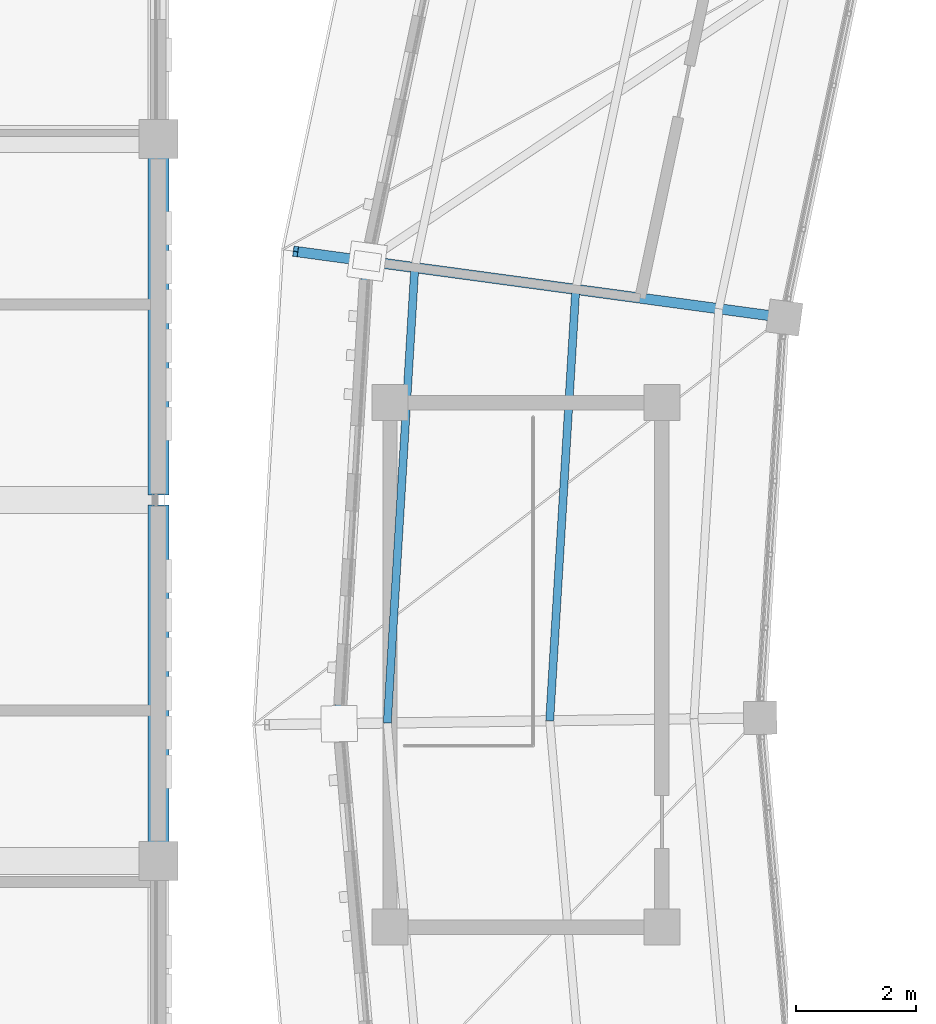
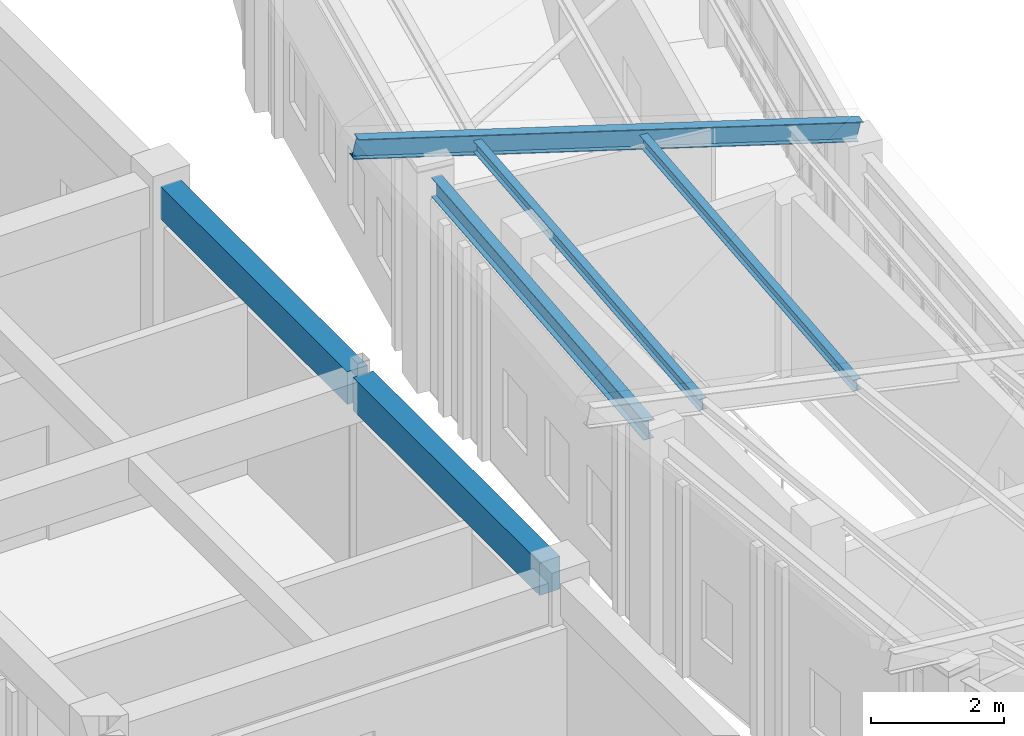
# One storey, part 30 of 149: 3 beams, 3 members.
"""IFC4 building model written with IfcOpenShell, lengths in metres."""

from ifc_helpers import new_model, si_unit, direction, frame, origin, origin_2d, place, context, subcontext, project, spatial, rectangle, i_section, extrude, material, material_profile, profile_set, type_object, element, save


model = new_model("IFC4")

# Units and contexts
model_context = context("Model", 3, precision=1e-05, world=origin(), true_north=direction((0.0, 1.0)))
body_context = subcontext(model_context, "Body", "Model", "MODEL_VIEW")
ifc_project = project(units=[si_unit("LENGTHUNIT", "METRE"), si_unit("AREAUNIT", "SQUARE_METRE"), si_unit("VOLUMEUNIT", "CUBIC_METRE"), si_unit("PLANEANGLEUNIT", "RADIAN"), si_unit("MASSUNIT", "GRAM", prefix="KILO")], contexts=[model_context])

# Site, building, storey
site_placement = place(None, origin())
site = spatial("IfcSite", under=ifc_project, at=site_placement, CompositionType="ELEMENT")
building_placement = place(site_placement, origin())
building = spatial("IfcBuilding", under=site, at=building_placement, Name="Celadon Cloister-Ring School", CompositionType="ELEMENT")
storey_placement = place(building_placement, frame((0.0, 0.0, 12.5)))
storey = spatial("IfcBuildingStorey", under=building, at=storey_placement, Name="L03", CompositionType="ELEMENT", Elevation=12.5)

# Beams
ifc_material_1 = material(Name="Concrete C35/45", Category="concrete")
ifc_material_profile_1 = material_profile(ifc_material_1, rectangle(XDim=0.35009765625, YDim=0.60009765625, at=origin_2d()), Name="RC350X600")
ifc_profile_set_1 = profile_set([ifc_material_profile_1], Name="Concrete C35/45")
beam_type_1 = type_object("IfcBeamType", Name="BT-02", PredefinedType="BEAM", material=ifc_profile_set_1)
for number, where, z_axis, x_axis, name in (
    (1, (32.0, 56.300048828125, 3.4599609375), (0.0, 1.0, 0.0), (-1.0, 0.0, 0.0), "Beam 1636"),
    (2, (32.0, 62.0849609375, 3.4599609375), (0.0, 1.0, 0.0), (-1.0, 0.0, 0.0), "Beam 1637"),
):
    element("IfcBeam", number, at=place(storey_placement, frame(where, z_axis=z_axis, x_axis=x_axis)), inside=storey, type_object=beam_type_1, Name=name, PredefinedType="BEAM", context=body_context, shape_type="SweptSolid", body=[
        extrude(rectangle(XDim=0.35009765625, YDim=0.60009765625, at=origin_2d()), origin(), (0.0, 0.0, 1.0), 5.614990234375),
    ])

# Members
ifc_material_2 = material(Name="Structural steel S355JR", Category="steel")
ifc_material_profile_2 = material_profile(ifc_material_2, i_section(OverallWidth=0.133056640625, OverallDepth=0.20703125, WebThickness=0.005859375, FlangeThickness=0.00830078125, at=origin_2d()), Name="W200X27")
ifc_profile_set_2 = profile_set([ifc_material_profile_2], Name="Structural steel S355JR")
member_type_1 = type_object("IfcMemberType", Name="MP-04", PredefinedType="PURLIN", material=ifc_profile_set_2)
member_1_placement = place(storey_placement, frame((38.93798828125, 65.501953125, 3.4599609375), z_axis=(-0.060279617206, -0.998181530459, 0.0), x_axis=(0.998181530459, -0.060279617206, 0.0)))
element("IfcMember", 3, at=member_1_placement, inside=storey, type_object=member_type_1, Name="Structural Member 0108", PredefinedType="PURLIN", context=body_context, shape_type="SweptSolid", body=[
    extrude(i_section(OverallWidth=0.133056640625, OverallDepth=0.20703125, WebThickness=0.005859375, FlangeThickness=0.00830078125, at=origin_2d()), origin(), (0.0, 0.0, 1.0), 7.18505859375),
])
member_2_placement = place(storey_placement, frame((36.261962890625, 65.864013671875, 4.073974609375), z_axis=(-0.060248246671, -0.998183424413, 0.0), x_axis=(0.998183424413, -0.060248246671, 0.0)))
element("IfcMember", 4, at=member_2_placement, inside=storey, type_object=member_type_1, Name="Structural Member 0109", PredefinedType="PURLIN", context=body_context, shape_type="SweptSolid", body=[
    extrude(i_section(OverallWidth=0.133056640625, OverallDepth=0.20703125, WebThickness=0.005859375, FlangeThickness=0.00830078125, at=origin_2d()), origin(), (0.0, 0.0, 1.0), 7.585693359375),
])
ifc_material_3 = material(Name="Structural steel S355JR", Category="steel")
ifc_material_profile_3 = material_profile(ifc_material_3, i_section(OverallWidth=0.1708984375, OverallDepth=0.35498046875, WebThickness=0.007080078125, FlangeThickness=0.01171875, at=origin_2d()), Name="W360X51")
ifc_profile_set_3 = profile_set([ifc_material_profile_3], Name="Structural steel S355JR")
member_type_2 = type_object("IfcMemberType", Name="MR-05", PredefinedType="RAFTER", material=ifc_profile_set_3)
member_3_placement = place(storey_placement, frame((42.406005859375, 65.031982421875, 2.72607421875), z_axis=(-0.966538405091, 0.130850320074, 0.220639310236), x_axis=(-0.134156544938, -0.990960151293, 0.0)))
element("IfcMember", 5, at=member_3_placement, inside=storey, type_object=member_type_2, Name="Structural Member 0014", PredefinedType="RAFTER", context=body_context, shape_type="SweptSolid", body=[
    extrude(i_section(OverallWidth=0.1708984375, OverallDepth=0.35498046875, WebThickness=0.007080078125, FlangeThickness=0.01171875, at=origin_2d()), origin(), (0.0, 0.0, 1.0), 8.4072265625),
])

# Beam
ifc_material_4 = material(Name="Structural steel S355JR", Category="steel")
ifc_material_profile_4 = material_profile(ifc_material_4, i_section(OverallWidth=0.1708984375, OverallDepth=0.35498046875, WebThickness=0.007080078125, FlangeThickness=0.01171875, at=origin_2d()), Name="W360X51")
ifc_profile_set_4 = profile_set([ifc_material_profile_4], Name="Structural steel S355JR")
beam_type_2 = type_object("IfcBeamType", Name="SP-04", PredefinedType="SPANDREL", material=ifc_profile_set_4)
beam_placement = place(storey_placement, frame((35.451904296875, 65.696044921875, 3.722900390625), z_axis=(-0.060104502179, -0.99819209014, 0.0), x_axis=(0.99819209014, -0.060104502179, 0.0)))
element("IfcBeam", 6, at=beam_placement, inside=storey, type_object=beam_type_2, Name="Beam 0536", PredefinedType="SPANDREL", context=body_context, shape_type="SweptSolid", body=[
    extrude(i_section(OverallWidth=0.1708984375, OverallDepth=0.35498046875, WebThickness=0.007080078125, FlangeThickness=0.01171875, at=origin_2d()), origin(), (0.0, 0.0, 1.0), 7.153076171875),
])

save(model, "model.ifc")
